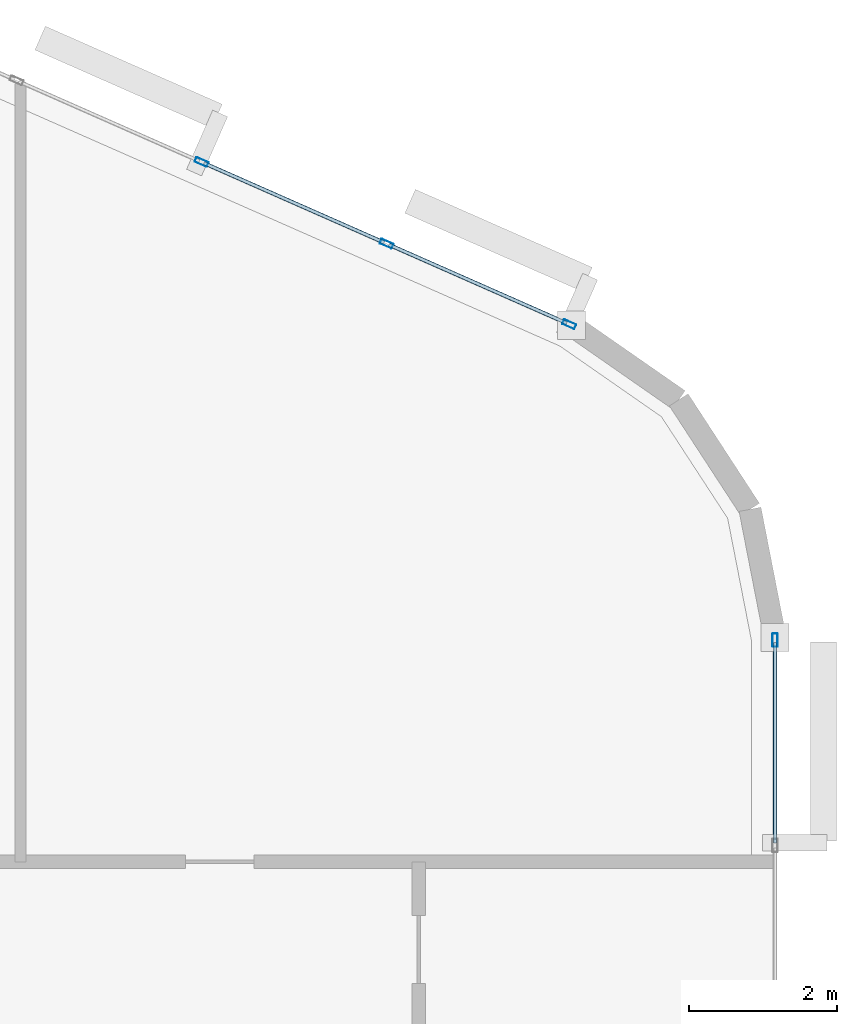
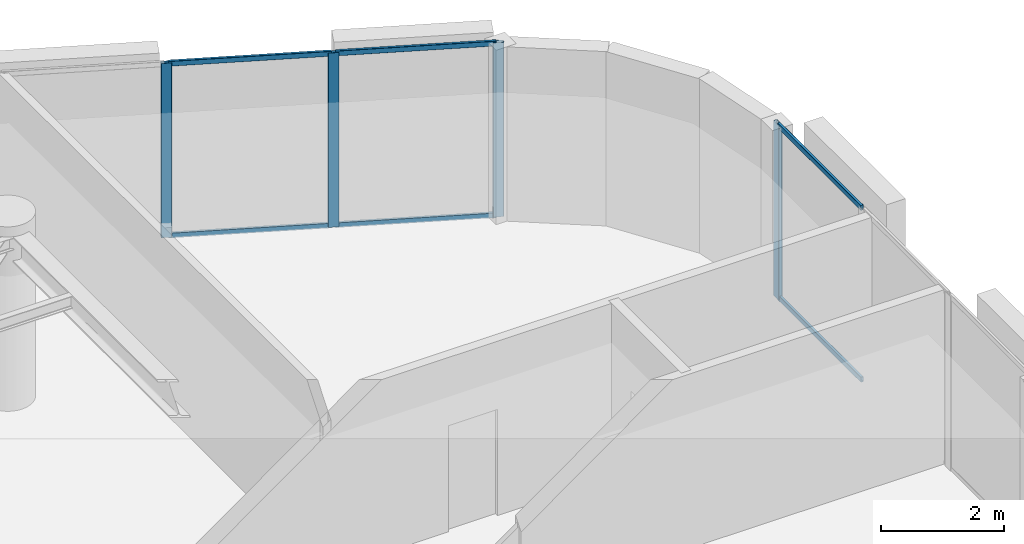
# One storey, part 6 of 14: 10 members, 2 elements without a shape of their own.
"""IFC4 building model written with IfcOpenShell, lengths in metres."""

from ifc_helpers import new_model, si_unit, direction, frame, origin, origin_2d, place, context, subcontext, project, spatial, hollow_rectangle, extrude, material, layer, layer_set, material_profile, profile_set, type_object, element, aggregate, save


model = new_model("IFC4")

# Units and contexts
model_context = context("Model", 3, precision=1e-05, world=origin(), true_north=direction((0.0, 1.0)))
body_context = subcontext(model_context, "Body", "Model", "MODEL_VIEW")
ifc_project = project(units=[si_unit("LENGTHUNIT", "METRE"), si_unit("AREAUNIT", "SQUARE_METRE"), si_unit("VOLUMEUNIT", "CUBIC_METRE"), si_unit("PLANEANGLEUNIT", "RADIAN"), si_unit("MASSUNIT", "GRAM", prefix="KILO")], contexts=[model_context])

# Site, building, storey
site_placement = place(None, origin())
site = spatial("IfcSite", under=ifc_project, at=site_placement, CompositionType="ELEMENT")
building_placement = place(site_placement, origin())
building = spatial("IfcBuilding", under=site, at=building_placement, Name="An Khanh Terracotta Commons", CompositionType="ELEMENT")
storey_placement = place(building_placement, frame((0.0, 0.0, 284.35009765625)))
storey = spatial("IfcBuildingStorey", under=building, at=storey_placement, Name="L74", CompositionType="ELEMENT", Elevation=284.35009765625)

# Curtain wall, member
ifc_material = material(Name="Anodised Aluminium 6063-T6", Category="aluminium")
ifc_layer = layer(ifc_material, 0.2099609375, Name="Anodised Aluminium 6063-T6")
ifc_layer_set = layer_set([ifc_layer], Name="Anodised Aluminium 6063-T6")
curtain_wall_type = type_object("IfcCurtainWallType", Name="CW-SYS-03", PredefinedType="USERDEFINED", material=ifc_layer_set)
curtain_wall_1_placement = place(storey_placement, origin())
curtain_wall_1 = element("IfcCurtainWall", 1, at=curtain_wall_1_placement, inside=storey, type_object=curtain_wall_type, Name="L74 CW-03 Unitised Curtain Wall CW-L74-12", ObjectType="UNITISED CURTAIN WALL", PredefinedType="USERDEFINED")
ifc_material_profile_1 = material_profile(ifc_material, hollow_rectangle(XDim=0.070068359375, YDim=0.179931640625, WallThickness=0.00390625, InnerFilletRadius=0.00390625, OuterFilletRadius=0.008056640625, at=origin_2d()), Name="RHS180x70x4")
ifc_profile_set_1 = profile_set([ifc_material_profile_1], Name="Anodised Aluminium 6063-T6")
member_type_1 = type_object("IfcMemberType", Name="CWM-RHS180x70x4", PredefinedType="MULLION", material=ifc_profile_set_1)
member_1_placement = place(storey_placement, frame((75.60009765625, 28.1669921875, 0.0), z_axis=(0.0, 0.0, 1.0), x_axis=(-1.0, 0.0, 0.0)))
member_1 = element("IfcMember", 2, at=member_1_placement, type_object=member_type_1, Name="CW-03 mullion 4", PredefinedType="MULLION", context=body_context, shape_type="SweptSolid", body=[
    extrude(hollow_rectangle(XDim=0.070068359375, YDim=0.179931640625, WallThickness=0.00390625, InnerFilletRadius=0.00390625, OuterFilletRadius=0.008056640625, at=origin_2d()), origin(), (0.0, 0.0, 1.0), 3.449951171875),
])

# Curtain wall, members
curtain_wall_2_placement = place(storey_placement, origin())
curtain_wall_2 = element("IfcCurtainWall", 3, at=curtain_wall_2_placement, inside=storey, type_object=curtain_wall_type, Name="L74 CW-03 Unitised Curtain Wall CW-L74-16", ObjectType="UNITISED CURTAIN WALL", PredefinedType="USERDEFINED")
member_2_placement = place(storey_placement, frame((72.824951171875, 32.424072265625, 0.0), z_axis=(0.0, 0.0, 1.0), x_axis=(-0.403676354285, -0.914901853201, 0.0)))
member_2 = element("IfcMember", 4, at=member_2_placement, type_object=member_type_1, Name="CW-03 mullion 1", PredefinedType="MULLION", context=body_context, shape_type="SweptSolid", body=[
    extrude(hollow_rectangle(XDim=0.070068359375, YDim=0.179931640625, WallThickness=0.00390625, InnerFilletRadius=0.00390625, OuterFilletRadius=0.008056640625, at=origin_2d()), origin(), (0.0, 0.0, 1.0), 3.449951171875),
])
member_3_placement = place(storey_placement, frame((70.364501953125, 33.509765625, 0.0), z_axis=(0.0, 0.0, 1.0), x_axis=(-0.403676354285, -0.914901853201, 0.0)))
member_3 = element("IfcMember", 5, at=member_3_placement, type_object=member_type_1, Name="CW-03 mullion 2", PredefinedType="MULLION", context=body_context, shape_type="SweptSolid", body=[
    extrude(hollow_rectangle(XDim=0.070068359375, YDim=0.179931640625, WallThickness=0.00390625, InnerFilletRadius=0.00390625, OuterFilletRadius=0.008056640625, at=origin_2d()), origin(), (0.0, 0.0, 1.0), 3.449951171875),
])
member_4_placement = place(storey_placement, frame((67.8720703125, 34.609619140625, 0.0), z_axis=(0.0, 0.0, 1.0), x_axis=(-0.403676354285, -0.914901853201, 0.0)))
member_4 = element("IfcMember", 6, at=member_4_placement, type_object=member_type_1, Name="CW-03 mullion 3", PredefinedType="MULLION", context=body_context, shape_type="SweptSolid", body=[
    extrude(hollow_rectangle(XDim=0.070068359375, YDim=0.179931640625, WallThickness=0.00390625, InnerFilletRadius=0.00390625, OuterFilletRadius=0.008056640625, at=origin_2d()), origin(), (0.0, 0.0, 1.0), 3.449951171875),
])

# Member
ifc_material_profile_2 = material_profile(ifc_material, hollow_rectangle(XDim=0.050048828125, YDim=0.10009765625, WallThickness=0.003173828125, InnerFilletRadius=0.003173828125, OuterFilletRadius=0.00634765625, at=origin_2d()), Name="RHS100x50x3.2")
ifc_profile_set_2 = profile_set([ifc_material_profile_2], Name="Anodised Aluminium 6063-T6")
member_type_2 = type_object("IfcMemberType", Name="CWT-RHS100x50x3.2", PredefinedType="USERDEFINED", material=ifc_profile_set_2)
member_5_placement = place(storey_placement, frame((75.60009765625, 25.435546875, 0.02490234375), z_axis=(0.0, 1.0, 0.0), x_axis=(-1.0, 0.0, 0.0)))
member_5 = element("IfcMember", 7, at=member_5_placement, type_object=member_type_2, Name="CW-03 transom 3.1", ObjectType="TRANSOM", PredefinedType="USERDEFINED", context=body_context, shape_type="SweptSolid", body=[
    extrude(hollow_rectangle(XDim=0.050048828125, YDim=0.10009765625, WallThickness=0.003173828125, InnerFilletRadius=0.003173828125, OuterFilletRadius=0.00634765625, at=origin_2d()), origin(), (0.0, 0.0, 1.0), 2.696533203125),
])

member_6_placement = place(storey_placement, frame((75.60009765625, 25.435546875, 3.4248046875), z_axis=(0.0, 1.0, 0.0), x_axis=(-1.0, 0.0, 0.0)))
member_6 = element("IfcMember", 8, at=member_6_placement, type_object=member_type_2, Name="CW-03 transom 3.2", ObjectType="TRANSOM", PredefinedType="USERDEFINED", context=body_context, shape_type="SweptSolid", body=[
    extrude(hollow_rectangle(XDim=0.050048828125, YDim=0.10009765625, WallThickness=0.003173828125, InnerFilletRadius=0.003173828125, OuterFilletRadius=0.00634765625, at=origin_2d()), origin(), (0.0, 0.0, 1.0), 2.696533203125),
])

aggregate(curtain_wall_1, [member_1, member_5, member_6])

member_7_placement = place(storey_placement, frame((72.79296875, 32.438232421875, 0.02490234375), z_axis=(-0.914903627858, 0.403672332137, 0.0), x_axis=(-0.403672332137, -0.914903627858, 0.0)))
member_7 = element("IfcMember", 9, at=member_7_placement, type_object=member_type_2, Name="CW-03 transom 1.1", ObjectType="TRANSOM", PredefinedType="USERDEFINED", context=body_context, shape_type="SweptSolid", body=[
    extrude(hollow_rectangle(XDim=0.050048828125, YDim=0.10009765625, WallThickness=0.003173828125, InnerFilletRadius=0.003173828125, OuterFilletRadius=0.00634765625, at=origin_2d()), origin(), (0.0, 0.0, 1.0), 2.619384765625),
])

member_8_placement = place(storey_placement, frame((72.79296875, 32.438232421875, 3.4248046875), z_axis=(-0.914903627858, 0.403672332137, 0.0), x_axis=(-0.403672332137, -0.914903627858, 0.0)))
member_8 = element("IfcMember", 10, at=member_8_placement, type_object=member_type_2, Name="CW-03 transom 1.2", ObjectType="TRANSOM", PredefinedType="USERDEFINED", context=body_context, shape_type="SweptSolid", body=[
    extrude(hollow_rectangle(XDim=0.050048828125, YDim=0.10009765625, WallThickness=0.003173828125, InnerFilletRadius=0.003173828125, OuterFilletRadius=0.00634765625, at=origin_2d()), origin(), (0.0, 0.0, 1.0), 2.619384765625),
])

member_9_placement = place(storey_placement, frame((70.33251953125, 33.52392578125, 0.02490234375), z_axis=(-0.914896820753, 0.403687759755, 0.0), x_axis=(-0.403687759755, -0.914896820753, 0.0)))
member_9 = element("IfcMember", 11, at=member_9_placement, type_object=member_type_2, Name="CW-03 transom 2.1", ObjectType="TRANSOM", PredefinedType="USERDEFINED", context=body_context, shape_type="SweptSolid", body=[
    extrude(hollow_rectangle(XDim=0.050048828125, YDim=0.10009765625, WallThickness=0.003173828125, InnerFilletRadius=0.003173828125, OuterFilletRadius=0.00634765625, at=origin_2d()), origin(), (0.0, 0.0, 1.0), 2.654296875),
])

member_10_placement = place(storey_placement, frame((70.33251953125, 33.52392578125, 3.4248046875), z_axis=(-0.914896820753, 0.403687759755, 0.0), x_axis=(-0.403687759755, -0.914896820753, 0.0)))
member_10 = element("IfcMember", 12, at=member_10_placement, type_object=member_type_2, Name="CW-03 transom 2.2", ObjectType="TRANSOM", PredefinedType="USERDEFINED", context=body_context, shape_type="SweptSolid", body=[
    extrude(hollow_rectangle(XDim=0.050048828125, YDim=0.10009765625, WallThickness=0.003173828125, InnerFilletRadius=0.003173828125, OuterFilletRadius=0.00634765625, at=origin_2d()), origin(), (0.0, 0.0, 1.0), 2.654296875),
])

aggregate(curtain_wall_2, [member_2, member_3, member_4, member_7, member_8, member_9, member_10])

save(model, "model.ifc")
